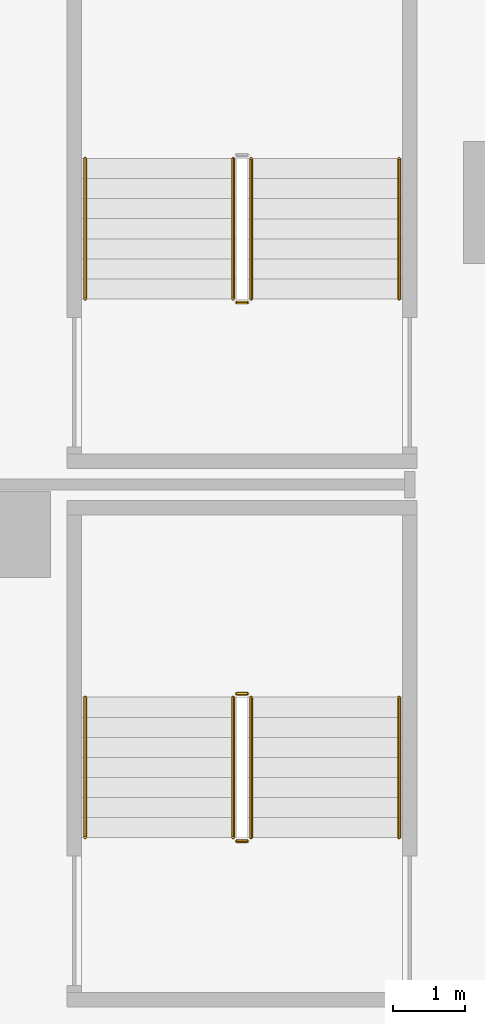
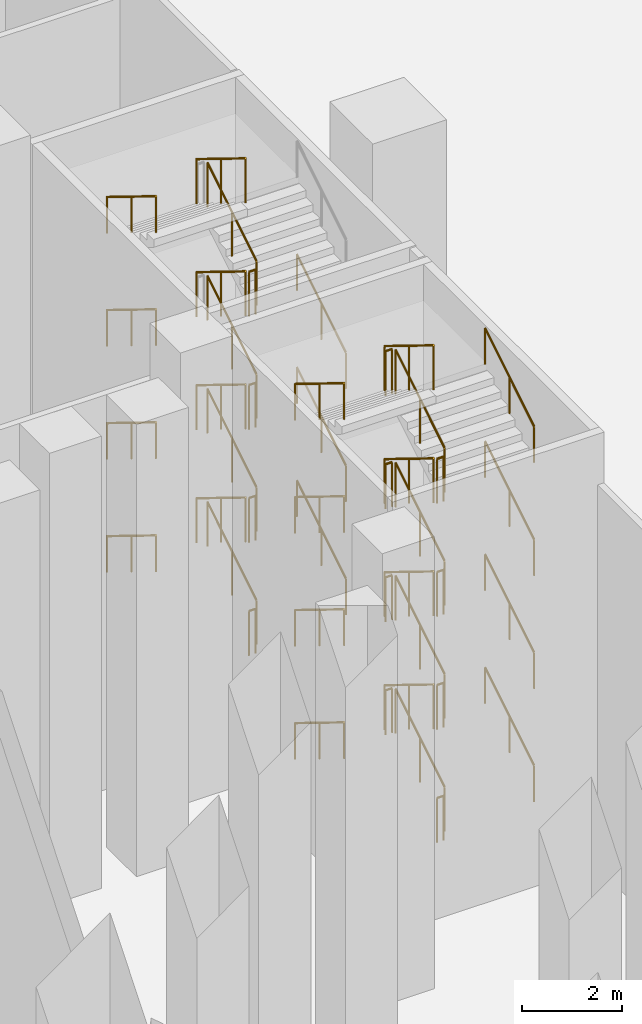
# One storey, part 22 of 31: 43 railings.
"""IFC4 building model written with IfcOpenShell, lengths in metres."""

from ifc_helpers import new_model, si_unit, direction, frame, origin, origin_2d, place, context, subcontext, project, spatial, circle, extrude, material, type_object, element, save


model = new_model("IFC4")

# Units and contexts
model_context = context("Model", 3, precision=1e-05, world=origin(), true_north=direction((0.0, 1.0)))
body_context = subcontext(model_context, "Body", "Model", "MODEL_VIEW")
ifc_project = project(units=[si_unit("LENGTHUNIT", "METRE"), si_unit("AREAUNIT", "SQUARE_METRE"), si_unit("VOLUMEUNIT", "CUBIC_METRE"), si_unit("PLANEANGLEUNIT", "RADIAN"), si_unit("MASSUNIT", "GRAM", prefix="KILO")], contexts=[model_context])

# Site, building, storey
site_placement = place(None, origin())
site = spatial("IfcSite", under=ifc_project, at=site_placement, CompositionType="ELEMENT")
building_placement = place(site_placement, origin())
building = spatial("IfcBuilding", under=site, at=building_placement, Name="Calabash Gate Tower", CompositionType="ELEMENT")
storey_placement = place(building_placement, frame((0.0, 0.0, 9.0)))
storey = spatial("IfcBuildingStorey", under=building, at=storey_placement, Name="L01", CompositionType="ELEMENT", Elevation=9.0)

# Railings
ifc_material_1 = material(Name="Black powder-coated steel balusters", Category="steel")
railing_type_1 = type_object("IfcRailingType", Name="Stair guard RL1100", PredefinedType="GUARDRAIL", material=ifc_material_1)
railing_1_placement = place(storey_placement, frame((-35.81005859375, -32.840087890625, 0.171875)))
element("IfcRailing", 1, at=railing_1_placement, inside=storey, type_object=railing_type_1, Name="L01 PS1 stair guard 1", PredefinedType="GUARDRAIL", context=body_context, shape_type="SweptSolid", body=[
    extrude(circle(Radius=0.02392578125, at=origin_2d()), frame((0.0, 0.0, 1.076171875), z_axis=(0.0, 0.851424364277, 0.524477408394), x_axis=(-1.0, 0.0, 0.0)), (0.0, 0.0, 1.0), 2.2939453125),
    extrude(circle(Radius=0.02099609375, at=origin_2d()), origin(), (0.0, 0.0, 1.0), 1.052001953125),
    extrude(circle(Radius=0.02099609375, at=origin_2d()), frame((0.0, 0.9765625, 0.6015625)), (0.0, 0.0, 1.0), 1.052001953125),
    extrude(circle(Radius=0.02099609375, at=origin_2d()), frame((0.0, 1.953125, 1.203125)), (0.0, 0.0, 1.0), 1.052001953125),
])
railing_2_placement = place(storey_placement, frame((-35.860107421875, -30.8369140625, 1.375)))
element("IfcRailing", 2, at=railing_2_placement, inside=storey, type_object=railing_type_1, Name="L01 PS1 stair guard 2", PredefinedType="GUARDRAIL", context=body_context, shape_type="SweptSolid", body=[
    extrude(circle(Radius=0.02392578125, at=origin_2d()), frame((0.0, 0.0, 1.076171875), z_axis=(-1.0, 0.0, 0.0), x_axis=(0.0, -1.0, 0.0)), (0.0, 0.0, 1.0), 0.14990234375),
    extrude(circle(Radius=0.02099609375, at=origin_2d()), origin(), (0.0, 0.0, 1.0), 1.052001953125),
    extrude(circle(Radius=0.02099609375, at=origin_2d()), frame((-0.14990234375, 0.0, 0.0)), (0.0, 0.0, 1.0), 1.052001953125),
])
railing_3_placement = place(storey_placement, frame((-36.06005859375, -30.886962890625, 1.546875)))
element("IfcRailing", 3, at=railing_3_placement, inside=storey, type_object=railing_type_1, Name="L01 PS1 stair guard 3", PredefinedType="GUARDRAIL", context=body_context, shape_type="SweptSolid", body=[
    extrude(circle(Radius=0.02392578125, at=origin_2d()), frame((0.0, 0.0, 1.076171875), z_axis=(0.0, -0.851424364277, 0.524477408394), x_axis=(1.0, 0.0, 0.0)), (0.0, 0.0, 1.0), 2.2939453125),
    extrude(circle(Radius=0.02099609375, at=origin_2d()), origin(), (0.0, 0.0, 1.0), 1.052001953125),
    extrude(circle(Radius=0.02099609375, at=origin_2d()), frame((0.0, -0.9765625, 0.6015625)), (0.0, 0.0, 1.0), 1.052001953125),
    extrude(circle(Radius=0.02099609375, at=origin_2d()), frame((0.0, -1.953125, 1.203125)), (0.0, 0.0, 1.0), 1.052001953125),
])
railing_4_placement = place(storey_placement, frame((-35.860107421875, -32.889892578125, 2.75)))
element("IfcRailing", 4, at=railing_4_placement, inside=storey, type_object=railing_type_1, Name="L01 PS1 stair guard 4", PredefinedType="GUARDRAIL", context=body_context, shape_type="SweptSolid", body=[
    extrude(circle(Radius=0.02392578125, at=origin_2d()), frame((0.0, 0.0, 1.076171875), z_axis=(-1.0, 0.0, 0.0), x_axis=(0.0, -1.0, 0.0)), (0.0, 0.0, 1.0), 0.14990234375),
    extrude(circle(Radius=0.02099609375, at=origin_2d()), origin(), (0.0, 0.0, 1.0), 1.052001953125),
    extrude(circle(Radius=0.02099609375, at=origin_2d()), frame((-0.14990234375, 0.0, 0.0)), (0.0, 0.0, 1.0), 1.052001953125),
])
railing_5_placement = place(storey_placement, frame((-35.81005859375, -32.840087890625, 2.921875)))
element("IfcRailing", 5, at=railing_5_placement, inside=storey, type_object=railing_type_1, Name="L01 PS1 stair guard 5", PredefinedType="GUARDRAIL", context=body_context, shape_type="SweptSolid", body=[
    extrude(circle(Radius=0.02392578125, at=origin_2d()), frame((0.0, 0.0, 1.076171875), z_axis=(0.0, 0.851424364277, 0.524477408394), x_axis=(-1.0, 0.0, 0.0)), (0.0, 0.0, 1.0), 2.2939453125),
    extrude(circle(Radius=0.02099609375, at=origin_2d()), origin(), (0.0, 0.0, 1.0), 1.052001953125),
    extrude(circle(Radius=0.02099609375, at=origin_2d()), frame((0.0, 0.9765625, 0.6015625)), (0.0, 0.0, 1.0), 1.052001953125),
    extrude(circle(Radius=0.02099609375, at=origin_2d()), frame((0.0, 1.953125, 1.203125)), (0.0, 0.0, 1.0), 1.052001953125),
])
railing_6_placement = place(storey_placement, frame((-35.860107421875, -30.8369140625, 4.125)))
element("IfcRailing", 6, at=railing_6_placement, inside=storey, type_object=railing_type_1, Name="L01 PS1 stair guard 6", PredefinedType="GUARDRAIL", context=body_context, shape_type="SweptSolid", body=[
    extrude(circle(Radius=0.02392578125, at=origin_2d()), frame((0.0, 0.0, 1.076171875), z_axis=(-1.0, 0.0, 0.0), x_axis=(0.0, -1.0, 0.0)), (0.0, 0.0, 1.0), 0.14990234375),
    extrude(circle(Radius=0.02099609375, at=origin_2d()), origin(), (0.0, 0.0, 1.0), 1.052001953125),
    extrude(circle(Radius=0.02099609375, at=origin_2d()), frame((-0.14990234375, 0.0, 0.0)), (0.0, 0.0, 1.0), 1.052001953125),
])
railing_7_placement = place(storey_placement, frame((-36.06005859375, -30.886962890625, 4.296875)))
element("IfcRailing", 7, at=railing_7_placement, inside=storey, type_object=railing_type_1, Name="L01 PS1 stair guard 7", PredefinedType="GUARDRAIL", context=body_context, shape_type="SweptSolid", body=[
    extrude(circle(Radius=0.02392578125, at=origin_2d()), frame((0.0, 0.0, 1.076171875), z_axis=(0.0, -0.851424364277, 0.524477408394), x_axis=(1.0, 0.0, 0.0)), (0.0, 0.0, 1.0), 2.2939453125),
    extrude(circle(Radius=0.02099609375, at=origin_2d()), origin(), (0.0, 0.0, 1.0), 1.052001953125),
    extrude(circle(Radius=0.02099609375, at=origin_2d()), frame((0.0, -0.9765625, 0.6015625)), (0.0, 0.0, 1.0), 1.052001953125),
    extrude(circle(Radius=0.02099609375, at=origin_2d()), frame((0.0, -1.953125, 1.203125)), (0.0, 0.0, 1.0), 1.052001953125),
])
railing_8_placement = place(storey_placement, frame((-35.860107421875, -32.889892578125, 5.5)))
element("IfcRailing", 8, at=railing_8_placement, inside=storey, type_object=railing_type_1, Name="L01 PS1 stair guard 8", PredefinedType="GUARDRAIL", context=body_context, shape_type="SweptSolid", body=[
    extrude(circle(Radius=0.02392578125, at=origin_2d()), frame((0.0, 0.0, 1.076171875), z_axis=(-1.0, 0.0, 0.0), x_axis=(0.0, -1.0, 0.0)), (0.0, 0.0, 1.0), 0.14990234375),
    extrude(circle(Radius=0.02099609375, at=origin_2d()), origin(), (0.0, 0.0, 1.0), 1.052001953125),
    extrude(circle(Radius=0.02099609375, at=origin_2d()), frame((-0.14990234375, 0.0, 0.0)), (0.0, 0.0, 1.0), 1.052001953125),
])
railing_9_placement = place(storey_placement, frame((-35.81005859375, -32.840087890625, 5.671875)))
element("IfcRailing", 9, at=railing_9_placement, inside=storey, type_object=railing_type_1, Name="L01 PS1 stair guard 9", PredefinedType="GUARDRAIL", context=body_context, shape_type="SweptSolid", body=[
    extrude(circle(Radius=0.02392578125, at=origin_2d()), frame((0.0, 0.0, 1.076171875), z_axis=(0.0, 0.851424364277, 0.524477408394), x_axis=(-1.0, 0.0, 0.0)), (0.0, 0.0, 1.0), 2.2939453125),
    extrude(circle(Radius=0.02099609375, at=origin_2d()), origin(), (0.0, 0.0, 1.0), 1.052001953125),
    extrude(circle(Radius=0.02099609375, at=origin_2d()), frame((0.0, 0.9765625, 0.6015625)), (0.0, 0.0, 1.0), 1.052001953125),
    extrude(circle(Radius=0.02099609375, at=origin_2d()), frame((0.0, 1.953125, 1.203125)), (0.0, 0.0, 1.0), 1.052001953125),
])
railing_10_placement = place(storey_placement, frame((-35.860107421875, -30.8369140625, 6.875)))
element("IfcRailing", 10, at=railing_10_placement, inside=storey, type_object=railing_type_1, Name="L01 PS1 stair guard 10", PredefinedType="GUARDRAIL", context=body_context, shape_type="SweptSolid", body=[
    extrude(circle(Radius=0.02392578125, at=origin_2d()), frame((0.0, 0.0, 1.076171875), z_axis=(-1.0, 0.0, 0.0), x_axis=(0.0, -1.0, 0.0)), (0.0, 0.0, 1.0), 0.14990234375),
    extrude(circle(Radius=0.02099609375, at=origin_2d()), origin(), (0.0, 0.0, 1.0), 1.052001953125),
    extrude(circle(Radius=0.02099609375, at=origin_2d()), frame((-0.14990234375, 0.0, 0.0)), (0.0, 0.0, 1.0), 1.052001953125),
])
railing_11_placement = place(storey_placement, frame((-36.06005859375, -30.886962890625, 7.046875)))
element("IfcRailing", 11, at=railing_11_placement, inside=storey, type_object=railing_type_1, Name="L01 PS1 stair guard 11", PredefinedType="GUARDRAIL", context=body_context, shape_type="SweptSolid", body=[
    extrude(circle(Radius=0.02392578125, at=origin_2d()), frame((0.0, 0.0, 1.076171875), z_axis=(0.0, -0.851424364277, 0.524477408394), x_axis=(1.0, 0.0, 0.0)), (0.0, 0.0, 1.0), 2.2939453125),
    extrude(circle(Radius=0.02099609375, at=origin_2d()), origin(), (0.0, 0.0, 1.0), 1.052001953125),
    extrude(circle(Radius=0.02099609375, at=origin_2d()), frame((0.0, -0.9765625, 0.6015625)), (0.0, 0.0, 1.0), 1.052001953125),
    extrude(circle(Radius=0.02099609375, at=origin_2d()), frame((0.0, -1.953125, 1.203125)), (0.0, 0.0, 1.0), 1.052001953125),
])
railing_12_placement = place(storey_placement, frame((-35.860107421875, -32.889892578125, 8.25)))
element("IfcRailing", 12, at=railing_12_placement, inside=storey, type_object=railing_type_1, Name="L01 PS1 stair guard 12", PredefinedType="GUARDRAIL", context=body_context, shape_type="SweptSolid", body=[
    extrude(circle(Radius=0.02392578125, at=origin_2d()), frame((0.0, 0.0, 1.076171875), z_axis=(-1.0, 0.0, 0.0), x_axis=(0.0, -1.0, 0.0)), (0.0, 0.0, 1.0), 0.14990234375),
    extrude(circle(Radius=0.02099609375, at=origin_2d()), origin(), (0.0, 0.0, 1.0), 1.052001953125),
    extrude(circle(Radius=0.02099609375, at=origin_2d()), frame((-0.14990234375, 0.0, 0.0)), (0.0, 0.0, 1.0), 1.052001953125),
])
railing_13_placement = place(storey_placement, frame((-35.81005859375, -32.840087890625, 8.421875)))
element("IfcRailing", 13, at=railing_13_placement, inside=storey, type_object=railing_type_1, Name="L01 PS1 stair guard 13", PredefinedType="GUARDRAIL", context=body_context, shape_type="SweptSolid", body=[
    extrude(circle(Radius=0.02392578125, at=origin_2d()), frame((0.0, 0.0, 1.076171875), z_axis=(0.0, 0.851424364277, 0.524477408394), x_axis=(-1.0, 0.0, 0.0)), (0.0, 0.0, 1.0), 2.2939453125),
    extrude(circle(Radius=0.02099609375, at=origin_2d()), origin(), (0.0, 0.0, 1.0), 1.052001953125),
    extrude(circle(Radius=0.02099609375, at=origin_2d()), frame((0.0, 0.9765625, 0.6015625)), (0.0, 0.0, 1.0), 1.052001953125),
    extrude(circle(Radius=0.02099609375, at=origin_2d()), frame((0.0, 1.953125, 1.203125)), (0.0, 0.0, 1.0), 1.052001953125),
])
railing_14_placement = place(storey_placement, frame((-35.860107421875, -30.8369140625, 9.625)))
element("IfcRailing", 14, at=railing_14_placement, inside=storey, type_object=railing_type_1, Name="L01 PS1 stair guard 14", PredefinedType="GUARDRAIL", context=body_context, shape_type="SweptSolid", body=[
    extrude(circle(Radius=0.02392578125, at=origin_2d()), frame((0.0, 0.0, 1.076171875), z_axis=(-1.0, 0.0, 0.0), x_axis=(0.0, -1.0, 0.0)), (0.0, 0.0, 1.0), 0.14990234375),
    extrude(circle(Radius=0.02099609375, at=origin_2d()), origin(), (0.0, 0.0, 1.0), 1.052001953125),
    extrude(circle(Radius=0.02099609375, at=origin_2d()), frame((-0.14990234375, 0.0, 0.0)), (0.0, 0.0, 1.0), 1.052001953125),
])
railing_15_placement = place(storey_placement, frame((-36.06005859375, -30.886962890625, 9.796875)))
element("IfcRailing", 15, at=railing_15_placement, inside=storey, type_object=railing_type_1, Name="L01 PS1 stair guard 15", PredefinedType="GUARDRAIL", context=body_context, shape_type="SweptSolid", body=[
    extrude(circle(Radius=0.02392578125, at=origin_2d()), frame((0.0, 0.0, 1.076171875), z_axis=(0.0, -0.851424364277, 0.524477408394), x_axis=(1.0, 0.0, 0.0)), (0.0, 0.0, 1.0), 2.2939453125),
    extrude(circle(Radius=0.02099609375, at=origin_2d()), origin(), (0.0, 0.0, 1.0), 1.052001953125),
    extrude(circle(Radius=0.02099609375, at=origin_2d()), frame((0.0, -0.9765625, 0.6015625)), (0.0, 0.0, 1.0), 1.052001953125),
    extrude(circle(Radius=0.02099609375, at=origin_2d()), frame((0.0, -1.953125, 1.203125)), (0.0, 0.0, 1.0), 1.052001953125),
])
railing_16_placement = place(storey_placement, frame((-35.860107421875, -32.889892578125, 0.0)))
element("IfcRailing", 16, at=railing_16_placement, inside=storey, type_object=railing_type_1, Name="L01 PS1 stair guard 16", PredefinedType="GUARDRAIL", context=body_context, shape_type="SweptSolid", body=[
    extrude(circle(Radius=0.02392578125, at=origin_2d()), frame((0.0, 0.0, 1.076171875), z_axis=(-1.0, 0.0, 0.0), x_axis=(0.0, -1.0, 0.0)), (0.0, 0.0, 1.0), 0.14990234375),
    extrude(circle(Radius=0.02099609375, at=origin_2d()), origin(), (0.0, 0.0, 1.0), 1.052001953125),
    extrude(circle(Radius=0.02099609375, at=origin_2d()), frame((-0.14990234375, 0.0, 0.0)), (0.0, 0.0, 1.0), 1.052001953125),
])
railing_17_placement = place(storey_placement, frame((-35.81005859375, -25.340087890625, 0.171875)))
element("IfcRailing", 17, at=railing_17_placement, inside=storey, type_object=railing_type_1, Name="L01 PS2 stair guard 1", PredefinedType="GUARDRAIL", context=body_context, shape_type="SweptSolid", body=[
    extrude(circle(Radius=0.02392578125, at=origin_2d()), frame((0.0, 0.0, 1.076171875), z_axis=(0.0, 0.851424364277, 0.524477408394), x_axis=(-1.0, 0.0, 0.0)), (0.0, 0.0, 1.0), 2.2939453125),
    extrude(circle(Radius=0.02099609375, at=origin_2d()), origin(), (0.0, 0.0, 1.0), 1.052001953125),
    extrude(circle(Radius=0.02099609375, at=origin_2d()), frame((0.0, 0.9765625, 0.6015625)), (0.0, 0.0, 1.0), 1.052001953125),
    extrude(circle(Radius=0.02099609375, at=origin_2d()), frame((0.0, 1.953125, 1.203125)), (0.0, 0.0, 1.0), 1.052001953125),
])
railing_18_placement = place(storey_placement, frame((-36.06005859375, -23.386962890625, 1.546875)))
element("IfcRailing", 18, at=railing_18_placement, inside=storey, type_object=railing_type_1, Name="L01 PS2 stair guard 3", PredefinedType="GUARDRAIL", context=body_context, shape_type="SweptSolid", body=[
    extrude(circle(Radius=0.02392578125, at=origin_2d()), frame((0.0, 0.0, 1.076171875), z_axis=(0.0, -0.851424364277, 0.524477408394), x_axis=(1.0, 0.0, 0.0)), (0.0, 0.0, 1.0), 2.2939453125),
    extrude(circle(Radius=0.02099609375, at=origin_2d()), origin(), (0.0, 0.0, 1.0), 1.052001953125),
    extrude(circle(Radius=0.02099609375, at=origin_2d()), frame((0.0, -0.9765625, 0.6015625)), (0.0, 0.0, 1.0), 1.052001953125),
    extrude(circle(Radius=0.02099609375, at=origin_2d()), frame((0.0, -1.953125, 1.203125)), (0.0, 0.0, 1.0), 1.052001953125),
])
railing_19_placement = place(storey_placement, frame((-35.860107421875, -25.389892578125, 2.75)))
element("IfcRailing", 19, at=railing_19_placement, inside=storey, type_object=railing_type_1, Name="L01 PS2 stair guard 4", PredefinedType="GUARDRAIL", context=body_context, shape_type="SweptSolid", body=[
    extrude(circle(Radius=0.02392578125, at=origin_2d()), frame((0.0, 0.0, 1.076171875), z_axis=(-1.0, 0.0, 0.0), x_axis=(0.0, -1.0, 0.0)), (0.0, 0.0, 1.0), 0.14990234375),
    extrude(circle(Radius=0.02099609375, at=origin_2d()), origin(), (0.0, 0.0, 1.0), 1.052001953125),
    extrude(circle(Radius=0.02099609375, at=origin_2d()), frame((-0.14990234375, 0.0, 0.0)), (0.0, 0.0, 1.0), 1.052001953125),
])
railing_20_placement = place(storey_placement, frame((-35.81005859375, -25.340087890625, 2.921875)))
element("IfcRailing", 20, at=railing_20_placement, inside=storey, type_object=railing_type_1, Name="L01 PS2 stair guard 5", PredefinedType="GUARDRAIL", context=body_context, shape_type="SweptSolid", body=[
    extrude(circle(Radius=0.02392578125, at=origin_2d()), frame((0.0, 0.0, 1.076171875), z_axis=(0.0, 0.851424364277, 0.524477408394), x_axis=(-1.0, 0.0, 0.0)), (0.0, 0.0, 1.0), 2.2939453125),
    extrude(circle(Radius=0.02099609375, at=origin_2d()), origin(), (0.0, 0.0, 1.0), 1.052001953125),
    extrude(circle(Radius=0.02099609375, at=origin_2d()), frame((0.0, 0.9765625, 0.6015625)), (0.0, 0.0, 1.0), 1.052001953125),
    extrude(circle(Radius=0.02099609375, at=origin_2d()), frame((0.0, 1.953125, 1.203125)), (0.0, 0.0, 1.0), 1.052001953125),
])
railing_21_placement = place(storey_placement, frame((-36.06005859375, -23.386962890625, 4.296875)))
element("IfcRailing", 21, at=railing_21_placement, inside=storey, type_object=railing_type_1, Name="L01 PS2 stair guard 7", PredefinedType="GUARDRAIL", context=body_context, shape_type="SweptSolid", body=[
    extrude(circle(Radius=0.02392578125, at=origin_2d()), frame((0.0, 0.0, 1.076171875), z_axis=(0.0, -0.851424364277, 0.524477408394), x_axis=(1.0, 0.0, 0.0)), (0.0, 0.0, 1.0), 2.2939453125),
    extrude(circle(Radius=0.02099609375, at=origin_2d()), origin(), (0.0, 0.0, 1.0), 1.052001953125),
    extrude(circle(Radius=0.02099609375, at=origin_2d()), frame((0.0, -0.9765625, 0.6015625)), (0.0, 0.0, 1.0), 1.052001953125),
    extrude(circle(Radius=0.02099609375, at=origin_2d()), frame((0.0, -1.953125, 1.203125)), (0.0, 0.0, 1.0), 1.052001953125),
])
railing_22_placement = place(storey_placement, frame((-35.860107421875, -25.389892578125, 5.5)))
element("IfcRailing", 22, at=railing_22_placement, inside=storey, type_object=railing_type_1, Name="L01 PS2 stair guard 8", PredefinedType="GUARDRAIL", context=body_context, shape_type="SweptSolid", body=[
    extrude(circle(Radius=0.02392578125, at=origin_2d()), frame((0.0, 0.0, 1.076171875), z_axis=(-1.0, 0.0, 0.0), x_axis=(0.0, -1.0, 0.0)), (0.0, 0.0, 1.0), 0.14990234375),
    extrude(circle(Radius=0.02099609375, at=origin_2d()), origin(), (0.0, 0.0, 1.0), 1.052001953125),
    extrude(circle(Radius=0.02099609375, at=origin_2d()), frame((-0.14990234375, 0.0, 0.0)), (0.0, 0.0, 1.0), 1.052001953125),
])
railing_23_placement = place(storey_placement, frame((-35.81005859375, -25.340087890625, 5.671875)))
element("IfcRailing", 23, at=railing_23_placement, inside=storey, type_object=railing_type_1, Name="L01 PS2 stair guard 9", PredefinedType="GUARDRAIL", context=body_context, shape_type="SweptSolid", body=[
    extrude(circle(Radius=0.02392578125, at=origin_2d()), frame((0.0, 0.0, 1.076171875), z_axis=(0.0, 0.851424364277, 0.524477408394), x_axis=(-1.0, 0.0, 0.0)), (0.0, 0.0, 1.0), 2.2939453125),
    extrude(circle(Radius=0.02099609375, at=origin_2d()), origin(), (0.0, 0.0, 1.0), 1.052001953125),
    extrude(circle(Radius=0.02099609375, at=origin_2d()), frame((0.0, 0.9765625, 0.6015625)), (0.0, 0.0, 1.0), 1.052001953125),
    extrude(circle(Radius=0.02099609375, at=origin_2d()), frame((0.0, 1.953125, 1.203125)), (0.0, 0.0, 1.0), 1.052001953125),
])
railing_24_placement = place(storey_placement, frame((-36.06005859375, -23.386962890625, 7.046875)))
element("IfcRailing", 24, at=railing_24_placement, inside=storey, type_object=railing_type_1, Name="L01 PS2 stair guard 11", PredefinedType="GUARDRAIL", context=body_context, shape_type="SweptSolid", body=[
    extrude(circle(Radius=0.02392578125, at=origin_2d()), frame((0.0, 0.0, 1.076171875), z_axis=(0.0, -0.851424364277, 0.524477408394), x_axis=(1.0, 0.0, 0.0)), (0.0, 0.0, 1.0), 2.2939453125),
    extrude(circle(Radius=0.02099609375, at=origin_2d()), origin(), (0.0, 0.0, 1.0), 1.052001953125),
    extrude(circle(Radius=0.02099609375, at=origin_2d()), frame((0.0, -0.9765625, 0.6015625)), (0.0, 0.0, 1.0), 1.052001953125),
    extrude(circle(Radius=0.02099609375, at=origin_2d()), frame((0.0, -1.953125, 1.203125)), (0.0, 0.0, 1.0), 1.052001953125),
])
railing_25_placement = place(storey_placement, frame((-35.860107421875, -25.389892578125, 8.25)))
element("IfcRailing", 25, at=railing_25_placement, inside=storey, type_object=railing_type_1, Name="L01 PS2 stair guard 12", PredefinedType="GUARDRAIL", context=body_context, shape_type="SweptSolid", body=[
    extrude(circle(Radius=0.02392578125, at=origin_2d()), frame((0.0, 0.0, 1.076171875), z_axis=(-1.0, 0.0, 0.0), x_axis=(0.0, -1.0, 0.0)), (0.0, 0.0, 1.0), 0.14990234375),
    extrude(circle(Radius=0.02099609375, at=origin_2d()), origin(), (0.0, 0.0, 1.0), 1.052001953125),
    extrude(circle(Radius=0.02099609375, at=origin_2d()), frame((-0.14990234375, 0.0, 0.0)), (0.0, 0.0, 1.0), 1.052001953125),
])
railing_26_placement = place(storey_placement, frame((-35.81005859375, -25.340087890625, 8.421875)))
element("IfcRailing", 26, at=railing_26_placement, inside=storey, type_object=railing_type_1, Name="L01 PS2 stair guard 13", PredefinedType="GUARDRAIL", context=body_context, shape_type="SweptSolid", body=[
    extrude(circle(Radius=0.02392578125, at=origin_2d()), frame((0.0, 0.0, 1.076171875), z_axis=(0.0, 0.851424364277, 0.524477408394), x_axis=(-1.0, 0.0, 0.0)), (0.0, 0.0, 1.0), 2.2939453125),
    extrude(circle(Radius=0.02099609375, at=origin_2d()), origin(), (0.0, 0.0, 1.0), 1.052001953125),
    extrude(circle(Radius=0.02099609375, at=origin_2d()), frame((0.0, 0.9765625, 0.6015625)), (0.0, 0.0, 1.0), 1.052001953125),
    extrude(circle(Radius=0.02099609375, at=origin_2d()), frame((0.0, 1.953125, 1.203125)), (0.0, 0.0, 1.0), 1.052001953125),
])
railing_27_placement = place(storey_placement, frame((-36.06005859375, -23.386962890625, 9.796875)))
element("IfcRailing", 27, at=railing_27_placement, inside=storey, type_object=railing_type_1, Name="L01 PS2 stair guard 15", PredefinedType="GUARDRAIL", context=body_context, shape_type="SweptSolid", body=[
    extrude(circle(Radius=0.02392578125, at=origin_2d()), frame((0.0, 0.0, 1.076171875), z_axis=(0.0, -0.851424364277, 0.524477408394), x_axis=(1.0, 0.0, 0.0)), (0.0, 0.0, 1.0), 2.2939453125),
    extrude(circle(Radius=0.02099609375, at=origin_2d()), origin(), (0.0, 0.0, 1.0), 1.052001953125),
    extrude(circle(Radius=0.02099609375, at=origin_2d()), frame((0.0, -0.9765625, 0.6015625)), (0.0, 0.0, 1.0), 1.052001953125),
    extrude(circle(Radius=0.02099609375, at=origin_2d()), frame((0.0, -1.953125, 1.203125)), (0.0, 0.0, 1.0), 1.052001953125),
])
railing_28_placement = place(storey_placement, frame((-35.860107421875, -25.389892578125, 0.0)))
element("IfcRailing", 28, at=railing_28_placement, inside=storey, type_object=railing_type_1, Name="L01 PS2 stair guard 16", PredefinedType="GUARDRAIL", context=body_context, shape_type="SweptSolid", body=[
    extrude(circle(Radius=0.02392578125, at=origin_2d()), frame((0.0, 0.0, 1.076171875), z_axis=(-1.0, 0.0, 0.0), x_axis=(0.0, -1.0, 0.0)), (0.0, 0.0, 1.0), 0.14990234375),
    extrude(circle(Radius=0.02099609375, at=origin_2d()), origin(), (0.0, 0.0, 1.0), 1.052001953125),
    extrude(circle(Radius=0.02099609375, at=origin_2d()), frame((-0.14990234375, 0.0, 0.0)), (0.0, 0.0, 1.0), 1.052001953125),
])
ifc_material_2 = material(Name="Black powder-coated steel tube 48 mm", Category="steel")
railing_type_2 = type_object("IfcRailingType", Name="Stair handrail RL900", PredefinedType="HANDRAIL", material=ifc_material_2)
railing_29_placement = place(storey_placement, frame((-33.75, -32.840087890625, 0.171875)))
element("IfcRailing", 29, at=railing_29_placement, inside=storey, type_object=railing_type_2, Name="L01 PS1 stair handrail 1", PredefinedType="HANDRAIL", context=body_context, shape_type="SweptSolid", body=[
    extrude(circle(Radius=0.02392578125, at=origin_2d()), frame((0.0, 0.0, 0.8759765625), z_axis=(0.0, 0.851424364277, 0.524477408394), x_axis=(-1.0, 0.0, 0.0)), (0.0, 0.0, 1.0), 2.2939453125),
    extrude(circle(Radius=0.02099609375, at=origin_2d()), origin(), (0.0, 0.0, 1.0), 0.851806640625),
    extrude(circle(Radius=0.02099609375, at=origin_2d()), frame((0.0, 0.9765625, 0.6015625)), (0.0, 0.0, 1.0), 0.851806640625),
    extrude(circle(Radius=0.02099609375, at=origin_2d()), frame((0.0, 1.953125, 1.203125)), (0.0, 0.0, 1.0), 0.851806640625),
])
railing_30_placement = place(storey_placement, frame((-38.1201171875, -30.886962890625, 1.546875)))
element("IfcRailing", 30, at=railing_30_placement, inside=storey, type_object=railing_type_2, Name="L01 PS1 stair handrail 2", PredefinedType="HANDRAIL", context=body_context, shape_type="SweptSolid", body=[
    extrude(circle(Radius=0.02392578125, at=origin_2d()), frame((0.0, 0.0, 0.8759765625), z_axis=(0.0, -0.851424364277, 0.524477408394), x_axis=(1.0, 0.0, 0.0)), (0.0, 0.0, 1.0), 2.2939453125),
    extrude(circle(Radius=0.02099609375, at=origin_2d()), origin(), (0.0, 0.0, 1.0), 0.851806640625),
    extrude(circle(Radius=0.02099609375, at=origin_2d()), frame((0.0, -0.9765625, 0.6015625)), (0.0, 0.0, 1.0), 0.851806640625),
    extrude(circle(Radius=0.02099609375, at=origin_2d()), frame((0.0, -1.953125, 1.203125)), (0.0, 0.0, 1.0), 0.851806640625),
])
railing_31_placement = place(storey_placement, frame((-33.75, -32.840087890625, 2.921875)))
element("IfcRailing", 31, at=railing_31_placement, inside=storey, type_object=railing_type_2, Name="L01 PS1 stair handrail 3", PredefinedType="HANDRAIL", context=body_context, shape_type="SweptSolid", body=[
    extrude(circle(Radius=0.02392578125, at=origin_2d()), frame((0.0, 0.0, 0.8759765625), z_axis=(0.0, 0.851424364277, 0.524477408394), x_axis=(-1.0, 0.0, 0.0)), (0.0, 0.0, 1.0), 2.2939453125),
    extrude(circle(Radius=0.02099609375, at=origin_2d()), origin(), (0.0, 0.0, 1.0), 0.851806640625),
    extrude(circle(Radius=0.02099609375, at=origin_2d()), frame((0.0, 0.9765625, 0.6015625)), (0.0, 0.0, 1.0), 0.851806640625),
    extrude(circle(Radius=0.02099609375, at=origin_2d()), frame((0.0, 1.953125, 1.203125)), (0.0, 0.0, 1.0), 0.851806640625),
])
railing_32_placement = place(storey_placement, frame((-38.1201171875, -30.886962890625, 4.296875)))
element("IfcRailing", 32, at=railing_32_placement, inside=storey, type_object=railing_type_2, Name="L01 PS1 stair handrail 4", PredefinedType="HANDRAIL", context=body_context, shape_type="SweptSolid", body=[
    extrude(circle(Radius=0.02392578125, at=origin_2d()), frame((0.0, 0.0, 0.8759765625), z_axis=(0.0, -0.851424364277, 0.524477408394), x_axis=(1.0, 0.0, 0.0)), (0.0, 0.0, 1.0), 2.2939453125),
    extrude(circle(Radius=0.02099609375, at=origin_2d()), origin(), (0.0, 0.0, 1.0), 0.851806640625),
    extrude(circle(Radius=0.02099609375, at=origin_2d()), frame((0.0, -0.9765625, 0.6015625)), (0.0, 0.0, 1.0), 0.851806640625),
    extrude(circle(Radius=0.02099609375, at=origin_2d()), frame((0.0, -1.953125, 1.203125)), (0.0, 0.0, 1.0), 0.851806640625),
])
railing_33_placement = place(storey_placement, frame((-33.75, -32.840087890625, 5.671875)))
element("IfcRailing", 33, at=railing_33_placement, inside=storey, type_object=railing_type_2, Name="L01 PS1 stair handrail 5", PredefinedType="HANDRAIL", context=body_context, shape_type="SweptSolid", body=[
    extrude(circle(Radius=0.02392578125, at=origin_2d()), frame((0.0, 0.0, 0.8759765625), z_axis=(0.0, 0.851424364277, 0.524477408394), x_axis=(-1.0, 0.0, 0.0)), (0.0, 0.0, 1.0), 2.2939453125),
    extrude(circle(Radius=0.02099609375, at=origin_2d()), origin(), (0.0, 0.0, 1.0), 0.851806640625),
    extrude(circle(Radius=0.02099609375, at=origin_2d()), frame((0.0, 0.9765625, 0.6015625)), (0.0, 0.0, 1.0), 0.851806640625),
    extrude(circle(Radius=0.02099609375, at=origin_2d()), frame((0.0, 1.953125, 1.203125)), (0.0, 0.0, 1.0), 0.851806640625),
])
railing_34_placement = place(storey_placement, frame((-38.1201171875, -30.886962890625, 7.046875)))
element("IfcRailing", 34, at=railing_34_placement, inside=storey, type_object=railing_type_2, Name="L01 PS1 stair handrail 6", PredefinedType="HANDRAIL", context=body_context, shape_type="SweptSolid", body=[
    extrude(circle(Radius=0.02392578125, at=origin_2d()), frame((0.0, 0.0, 0.8759765625), z_axis=(0.0, -0.851424364277, 0.524477408394), x_axis=(1.0, 0.0, 0.0)), (0.0, 0.0, 1.0), 2.2939453125),
    extrude(circle(Radius=0.02099609375, at=origin_2d()), origin(), (0.0, 0.0, 1.0), 0.851806640625),
    extrude(circle(Radius=0.02099609375, at=origin_2d()), frame((0.0, -0.9765625, 0.6015625)), (0.0, 0.0, 1.0), 0.851806640625),
    extrude(circle(Radius=0.02099609375, at=origin_2d()), frame((0.0, -1.953125, 1.203125)), (0.0, 0.0, 1.0), 0.851806640625),
])
railing_35_placement = place(storey_placement, frame((-33.75, -32.840087890625, 8.421875)))
element("IfcRailing", 35, at=railing_35_placement, inside=storey, type_object=railing_type_2, Name="L01 PS1 stair handrail 7", PredefinedType="HANDRAIL", context=body_context, shape_type="SweptSolid", body=[
    extrude(circle(Radius=0.02392578125, at=origin_2d()), frame((0.0, 0.0, 0.8759765625), z_axis=(0.0, 0.851424364277, 0.524477408394), x_axis=(-1.0, 0.0, 0.0)), (0.0, 0.0, 1.0), 2.2939453125),
    extrude(circle(Radius=0.02099609375, at=origin_2d()), origin(), (0.0, 0.0, 1.0), 0.851806640625),
    extrude(circle(Radius=0.02099609375, at=origin_2d()), frame((0.0, 0.9765625, 0.6015625)), (0.0, 0.0, 1.0), 0.851806640625),
    extrude(circle(Radius=0.02099609375, at=origin_2d()), frame((0.0, 1.953125, 1.203125)), (0.0, 0.0, 1.0), 0.851806640625),
])
railing_36_placement = place(storey_placement, frame((-38.1201171875, -30.886962890625, 9.796875)))
element("IfcRailing", 36, at=railing_36_placement, inside=storey, type_object=railing_type_2, Name="L01 PS1 stair handrail 8", PredefinedType="HANDRAIL", context=body_context, shape_type="SweptSolid", body=[
    extrude(circle(Radius=0.02392578125, at=origin_2d()), frame((0.0, 0.0, 0.8759765625), z_axis=(0.0, -0.851424364277, 0.524477408394), x_axis=(1.0, 0.0, 0.0)), (0.0, 0.0, 1.0), 2.2939453125),
    extrude(circle(Radius=0.02099609375, at=origin_2d()), origin(), (0.0, 0.0, 1.0), 0.851806640625),
    extrude(circle(Radius=0.02099609375, at=origin_2d()), frame((0.0, -0.9765625, 0.6015625)), (0.0, 0.0, 1.0), 0.851806640625),
    extrude(circle(Radius=0.02099609375, at=origin_2d()), frame((0.0, -1.953125, 1.203125)), (0.0, 0.0, 1.0), 0.851806640625),
])
railing_37_placement = place(storey_placement, frame((-33.75, -25.340087890625, 0.171875)))
element("IfcRailing", 37, at=railing_37_placement, inside=storey, type_object=railing_type_2, Name="L01 PS2 stair handrail 1", PredefinedType="HANDRAIL", context=body_context, shape_type="SweptSolid", body=[
    extrude(circle(Radius=0.02392578125, at=origin_2d()), frame((0.0, 0.0, 0.8759765625), z_axis=(0.0, 0.851424364277, 0.524477408394), x_axis=(-1.0, 0.0, 0.0)), (0.0, 0.0, 1.0), 2.2939453125),
    extrude(circle(Radius=0.02099609375, at=origin_2d()), origin(), (0.0, 0.0, 1.0), 0.851806640625),
    extrude(circle(Radius=0.02099609375, at=origin_2d()), frame((0.0, 0.9765625, 0.6015625)), (0.0, 0.0, 1.0), 0.851806640625),
    extrude(circle(Radius=0.02099609375, at=origin_2d()), frame((0.0, 1.953125, 1.203125)), (0.0, 0.0, 1.0), 0.851806640625),
])
railing_38_placement = place(storey_placement, frame((-38.1201171875, -23.386962890625, 1.546875)))
element("IfcRailing", 38, at=railing_38_placement, inside=storey, type_object=railing_type_2, Name="L01 PS2 stair handrail 2", PredefinedType="HANDRAIL", context=body_context, shape_type="SweptSolid", body=[
    extrude(circle(Radius=0.02392578125, at=origin_2d()), frame((0.0, 0.0, 0.8759765625), z_axis=(0.0, -0.851424364277, 0.524477408394), x_axis=(1.0, 0.0, 0.0)), (0.0, 0.0, 1.0), 2.2939453125),
    extrude(circle(Radius=0.02099609375, at=origin_2d()), origin(), (0.0, 0.0, 1.0), 0.851806640625),
    extrude(circle(Radius=0.02099609375, at=origin_2d()), frame((0.0, -0.9765625, 0.6015625)), (0.0, 0.0, 1.0), 0.851806640625),
    extrude(circle(Radius=0.02099609375, at=origin_2d()), frame((0.0, -1.953125, 1.203125)), (0.0, 0.0, 1.0), 0.851806640625),
])
railing_39_placement = place(storey_placement, frame((-33.75, -25.340087890625, 2.921875)))
element("IfcRailing", 39, at=railing_39_placement, inside=storey, type_object=railing_type_2, Name="L01 PS2 stair handrail 3", PredefinedType="HANDRAIL", context=body_context, shape_type="SweptSolid", body=[
    extrude(circle(Radius=0.02392578125, at=origin_2d()), frame((0.0, 0.0, 0.8759765625), z_axis=(0.0, 0.851424364277, 0.524477408394), x_axis=(-1.0, 0.0, 0.0)), (0.0, 0.0, 1.0), 2.2939453125),
    extrude(circle(Radius=0.02099609375, at=origin_2d()), origin(), (0.0, 0.0, 1.0), 0.851806640625),
    extrude(circle(Radius=0.02099609375, at=origin_2d()), frame((0.0, 0.9765625, 0.6015625)), (0.0, 0.0, 1.0), 0.851806640625),
    extrude(circle(Radius=0.02099609375, at=origin_2d()), frame((0.0, 1.953125, 1.203125)), (0.0, 0.0, 1.0), 0.851806640625),
])
railing_40_placement = place(storey_placement, frame((-38.1201171875, -23.386962890625, 4.296875)))
element("IfcRailing", 40, at=railing_40_placement, inside=storey, type_object=railing_type_2, Name="L01 PS2 stair handrail 4", PredefinedType="HANDRAIL", context=body_context, shape_type="SweptSolid", body=[
    extrude(circle(Radius=0.02392578125, at=origin_2d()), frame((0.0, 0.0, 0.8759765625), z_axis=(0.0, -0.851424364277, 0.524477408394), x_axis=(1.0, 0.0, 0.0)), (0.0, 0.0, 1.0), 2.2939453125),
    extrude(circle(Radius=0.02099609375, at=origin_2d()), origin(), (0.0, 0.0, 1.0), 0.851806640625),
    extrude(circle(Radius=0.02099609375, at=origin_2d()), frame((0.0, -0.9765625, 0.6015625)), (0.0, 0.0, 1.0), 0.851806640625),
    extrude(circle(Radius=0.02099609375, at=origin_2d()), frame((0.0, -1.953125, 1.203125)), (0.0, 0.0, 1.0), 0.851806640625),
])
railing_41_placement = place(storey_placement, frame((-33.75, -25.340087890625, 5.671875)))
element("IfcRailing", 41, at=railing_41_placement, inside=storey, type_object=railing_type_2, Name="L01 PS2 stair handrail 5", PredefinedType="HANDRAIL", context=body_context, shape_type="SweptSolid", body=[
    extrude(circle(Radius=0.02392578125, at=origin_2d()), frame((0.0, 0.0, 0.8759765625), z_axis=(0.0, 0.851424364277, 0.524477408394), x_axis=(-1.0, 0.0, 0.0)), (0.0, 0.0, 1.0), 2.2939453125),
    extrude(circle(Radius=0.02099609375, at=origin_2d()), origin(), (0.0, 0.0, 1.0), 0.851806640625),
    extrude(circle(Radius=0.02099609375, at=origin_2d()), frame((0.0, 0.9765625, 0.6015625)), (0.0, 0.0, 1.0), 0.851806640625),
    extrude(circle(Radius=0.02099609375, at=origin_2d()), frame((0.0, 1.953125, 1.203125)), (0.0, 0.0, 1.0), 0.851806640625),
])
for number, where, name in (
    (42, (-38.1201171875, -23.386962890625, 7.046875), "L01 PS2 stair handrail 6"),
    (43, (-38.1201171875, -23.386962890625, 9.796875), "L01 PS2 stair handrail 8"),
):
    element("IfcRailing", number, at=place(storey_placement, frame(where)), inside=storey, type_object=railing_type_2, Name=name, PredefinedType="HANDRAIL", context=body_context, shape_type="SweptSolid", body=[
        extrude(circle(Radius=0.02392578125, at=origin_2d()), frame((0.0, 0.0, 0.8759765625), z_axis=(0.0, -0.851424364277, 0.524477408394), x_axis=(1.0, 0.0, 0.0)), (0.0, 0.0, 1.0), 2.2939453125),
        extrude(circle(Radius=0.02099609375, at=origin_2d()), origin(), (0.0, 0.0, 1.0), 0.851806640625),
        extrude(circle(Radius=0.02099609375, at=origin_2d()), frame((0.0, -0.9765625, 0.6015625)), (0.0, 0.0, 1.0), 0.851806640625),
        extrude(circle(Radius=0.02099609375, at=origin_2d()), frame((0.0, -1.953125, 1.203125)), (0.0, 0.0, 1.0), 0.851806640625),
    ])

save(model, "model.ifc")
